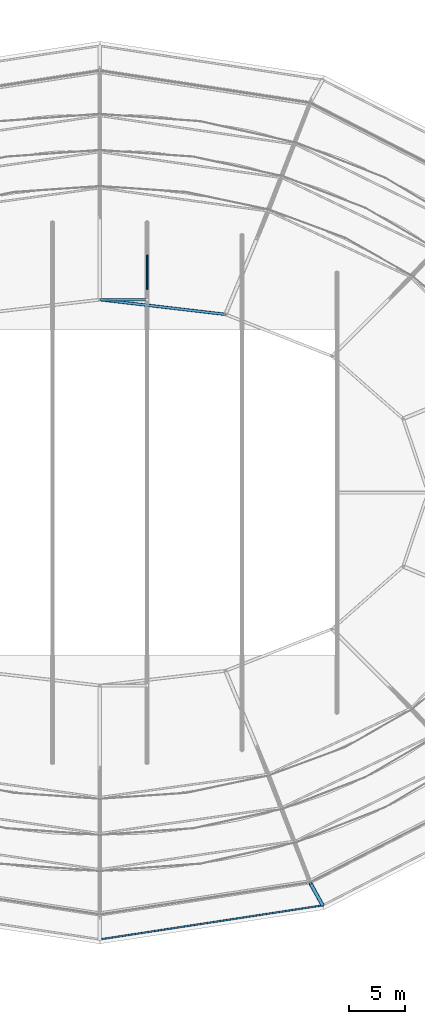
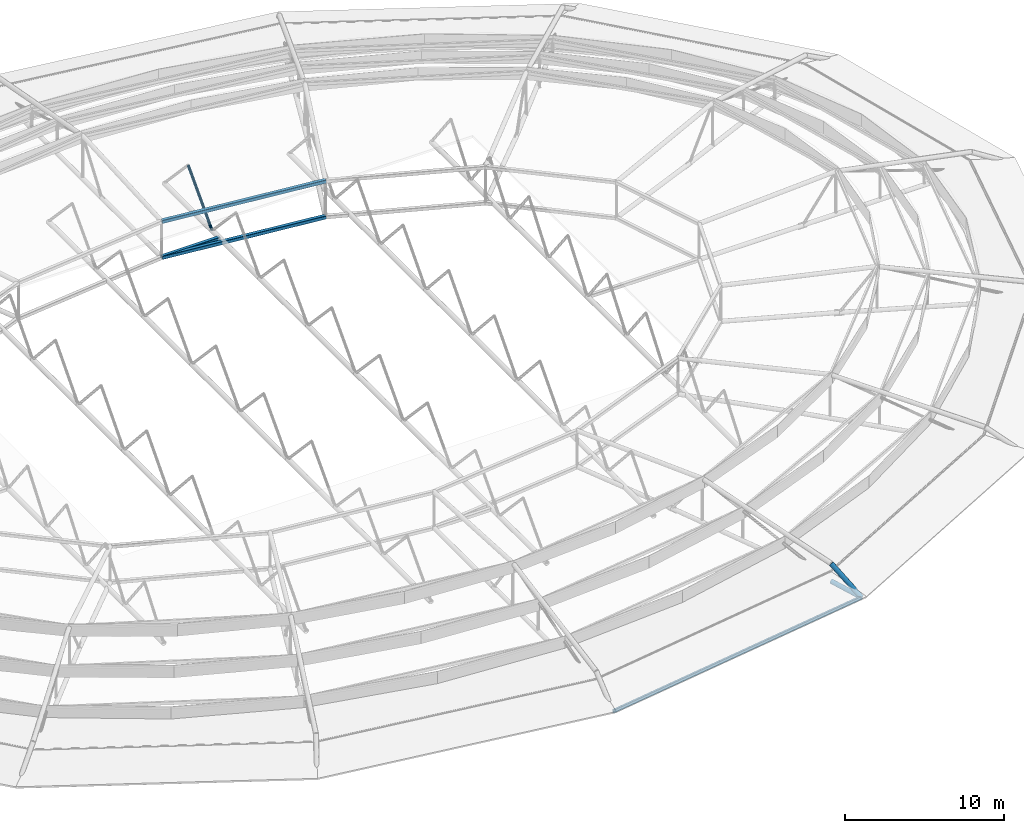
# One storey, part 26 of 134: 6 members, 1 beam.
"""IFC4 building model written with IfcOpenShell, lengths in metres."""

from ifc_helpers import new_model, si_unit, derived_unit, direction, frame, origin, origin_2d, place, context, subcontext, project, spatial, hollow_rectangle, hollow_circle, extrude, material, material_profile, profile_set, type_object, element, save


model = new_model("IFC4")

# Units and contexts
model_context = context("Model", 3, precision=1e-05, world=origin(), true_north=direction((0.0, 1.0)))
body_context = subcontext(model_context, "Body", "Model", "MODEL_VIEW")
ifc_project = project(units=[si_unit("LENGTHUNIT", "METRE"), si_unit("AREAUNIT", "SQUARE_METRE"), si_unit("VOLUMEUNIT", "CUBIC_METRE"), si_unit("PLANEANGLEUNIT", "RADIAN"), si_unit("MASSUNIT", "GRAM", prefix="KILO"), derived_unit("THERMALTRANSMITTANCEUNIT", [(si_unit("MASSUNIT", "GRAM", prefix="KILO"), 1), (si_unit("TIMEUNIT", "SECOND"), -3), (si_unit("THERMODYNAMICTEMPERATUREUNIT", "KELVIN"), -1)])], contexts=[model_context])

# Site, building, storey
site_placement = place(None, origin())
site = spatial("IfcSite", under=ifc_project, at=site_placement, CompositionType="ELEMENT")
building_placement = place(site_placement, origin())
building = spatial("IfcBuilding", under=site, at=building_placement, Name="Kharveza Railside Sports Centre", CompositionType="ELEMENT")
storey_placement = place(building_placement, frame((0.0, 0.0, 12.89990234375)))
storey = spatial("IfcBuildingStorey", under=building, at=storey_placement, Name="L03", CompositionType="ELEMENT", Elevation=12.89990234375)

# Beam
ifc_material = material(Name="Steel S355J2", Category="steel")
ifc_material_profile_1 = material_profile(ifc_material, hollow_rectangle(XDim=0.14990234375, YDim=0.25, WallThickness=0.010009765625, InnerFilletRadius=0.010009765625, OuterFilletRadius=0.02001953125, at=origin_2d()), Name="RHS 150x250x10.0")
ifc_profile_set_1 = profile_set([ifc_material_profile_1], Name="Steel S355J2")
beam_type = type_object("IfcBeamType", Name="BM-SP04", PredefinedType="SPANDREL", material=ifc_profile_set_1)
beam_placement = place(storey_placement, frame((54.60009765625, 10.800048828125, -0.47998046875), z_axis=(0.988547793234, 0.150908119374, 0.0), x_axis=(-0.150908119374, 0.988547793234, 0.0)))
element("IfcBeam", 1, at=beam_placement, inside=storey, type_object=beam_type, Name="BM-LIDRING-RIM-13", PredefinedType="SPANDREL", context=body_context, shape_type="SweptSolid", body=[
    extrude(hollow_rectangle(XDim=0.14990234375, YDim=0.25, WallThickness=0.010009765625, InnerFilletRadius=0.010009765625, OuterFilletRadius=0.02001953125, at=origin_2d()), origin(), (0.0, 0.0, 1.0), 19.97509765625),
])

# Members
ifc_material_profile_2 = material_profile(ifc_material, hollow_circle(Radius=0.161865234375, WallThickness=0.01611328125, at=origin_2d()), Name="CHS 323.9x16.0")
ifc_profile_set_2 = profile_set([ifc_material_profile_2], Name="Steel S355J2")
member_type_1 = type_object("IfcMemberType", Name="MB-CH02", PredefinedType="CHORD", material=ifc_profile_set_2)
member_1_placement = place(storey_placement, frame((73.27490234375, 15.75439453125, -0.0498046875), z_axis=(0.474640779179, -0.859306363945, -0.190548428552), x_axis=(0.875344605841, 0.483499556385, 0.0)))
element("IfcMember", 2, at=member_1_placement, inside=storey, type_object=member_type_1, Name="MB-OUT-BC3-14", PredefinedType="CHORD", context=body_context, shape_type="SweptSolid", body=[
    extrude(hollow_circle(Radius=0.161865234375, WallThickness=0.01611328125, at=origin_2d()), origin(), (0.0, 0.0, 1.0), 2.257568359375),
])
member_2_placement = place(storey_placement, frame((73.27490234375, 15.75439453125, 1.300048828125), z_axis=(0.376962657333, -0.682466455951, -0.626209782323), x_axis=(0.875344605841, 0.483499556385, 0.0)))
element("IfcMember", 3, at=member_2_placement, inside=storey, type_object=member_type_1, Name="MB-OUT-TC3-14", PredefinedType="CHORD", context=body_context, shape_type="SweptSolid", body=[
    extrude(hollow_circle(Radius=0.161865234375, WallThickness=0.01611328125, at=origin_2d()), origin(), (0.0, 0.0, 1.0), 2.842529296875),
])
ifc_material_profile_3 = material_profile(ifc_material, hollow_rectangle(XDim=0.25, YDim=0.25, WallThickness=0.012451171875, InnerFilletRadius=0.012451171875, OuterFilletRadius=0.02490234375, at=origin_2d()), Name="SHS 250x250x12.5")
ifc_profile_set_3 = profile_set([ifc_material_profile_3], Name="Steel S355J2")
member_type_2 = type_object("IfcMemberType", Name="MB-CH05", PredefinedType="CHORD", material=ifc_profile_set_3)
for number, where, z_axis, x_axis, name in (
    (4, (65.736083984375, 66.1982421875, -0.0498046875), (-0.99323683878, 0.116105908938, 0.0), (-0.116105908938, -0.99323683878, 0.0), "MB-INRING-BOT-04"),
    (5, (65.736083984375, 66.1982421875, 2.7001953125), (-0.99323683878, 0.116105908938, 0.0), (-0.116105908938, -0.99323683878, 0.0), "MB-INRING-TOP-04"),
):
    element("IfcMember", number, at=place(storey_placement, frame(where, z_axis=z_axis, x_axis=x_axis)), inside=storey, type_object=member_type_2, Name=name, PredefinedType="CHORD", context=body_context, shape_type="SweptSolid", body=[
        extrude(hollow_rectangle(XDim=0.25, YDim=0.25, WallThickness=0.012451171875, InnerFilletRadius=0.012451171875, OuterFilletRadius=0.02490234375, at=origin_2d()), origin(), (0.0, 0.0, 1.0), 11.2119140625),
    ])
member_3_placement = place(storey_placement, frame((54.60009765625, 67.5, -0.0498046875), z_axis=(1.0, 0.0, 0.0), x_axis=(0.0, 1.0, 0.0)))
element("IfcMember", 6, at=member_3_placement, inside=storey, type_object=member_type_2, Name="MB-INRING-TIE-05", PredefinedType="CHORD", context=body_context, shape_type="SweptSolid", body=[
    extrude(hollow_rectangle(XDim=0.25, YDim=0.25, WallThickness=0.012451171875, InnerFilletRadius=0.012451171875, OuterFilletRadius=0.02490234375, at=origin_2d()), origin(), (0.0, 0.0, 1.0), 4.199951171875),
])
ifc_material_profile_4 = material_profile(ifc_material, hollow_circle(Radius=0.096923828125, WallThickness=0.010009765625, at=origin_2d()), Name="CHS 193.7x10.0")
ifc_profile_set_4 = profile_set([ifc_material_profile_4], Name="Steel S355J2")
member_type_3 = type_object("IfcMemberType", Name="MB-ST02", PredefinedType="STRUT", material=ifc_profile_set_4)
member_4_placement = place(storey_placement, frame((58.800048828125, 68.428955078125, -0.0498046875), z_axis=(0.0, 0.684508910936, 0.729004493024), x_axis=(-1.0, 0.0, 0.0)))
element("IfcMember", 7, at=member_4_placement, inside=storey, type_object=member_type_3, Name="MB-V1TR-D1-4-8", PredefinedType="STRUT", context=body_context, shape_type="SweptSolid", body=[
    extrude(hollow_circle(Radius=0.096923828125, WallThickness=0.010009765625, at=origin_2d()), origin(), (0.0, 0.0, 1.0), 4.389404296875),
])

save(model, "model.ifc")
